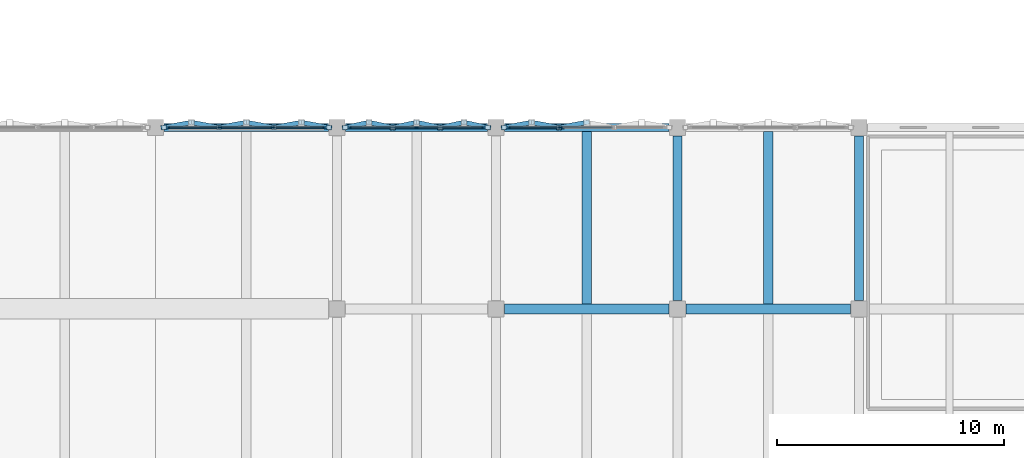
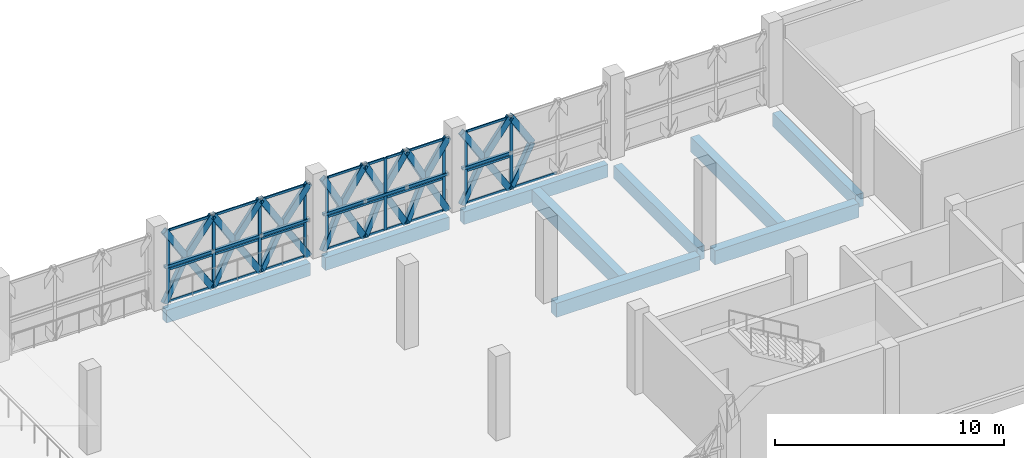
# One storey, part 15 of 45: 65 members, 9 beams, 3 elements without a shape of their own.
"""IFC4 building model written with IfcOpenShell, lengths in metres."""

import ifcopenshell
import ifcopenshell.guid

model = None  # the IFC model being written
_history = None  # IfcOwnerHistory: only IFC2X3 demands one
_inside = {}  # id of a spatial element -> (the spatial element, [elements in it])
_under = {}  # id of a project, library or spatial element -> (it, [spatial elements below it])
_declared = {}  # id of a project -> (the project, [libraries it declares])
_typed = {}  # id of a type object -> (the type object, [elements of that type])
_made_of = {}  # id of a material, layer set ... -> (it, [elements and type objects made of it])


def new_model(schema):
    """Start an empty IFC model of exactly this schema.

    Asked for "IFC4X3", IfcOpenShell would pick the latest addendum, in which some entities
    have other attributes; the version numbers below select the first issue.
    IFC2X3 requires an IfcOwnerHistory on every rooted entity: one is made here for all.
    """
    global model, _history
    if schema == "IFC4X3":
        model = ifcopenshell.file(schema_version=(4, 3, 0, 0))
    else:
        model = ifcopenshell.file(schema=schema)
    _inside.clear()
    _under.clear()
    _declared.clear()
    _typed.clear()
    _made_of.clear()
    _history = None
    if model.schema == "IFC2X3":
        org = make("IfcOrganization", Name="unknown")
        user = make(
            "IfcPersonAndOrganization",
            ThePerson=make("IfcPerson", FamilyName="unknown"),
            TheOrganization=org,
        )
        app = make(
            "IfcApplication",
            ApplicationDeveloper=org,
            Version="unknown",
            ApplicationFullName="unknown",
            ApplicationIdentifier="unknown",
        )
        _history = make(
            "IfcOwnerHistory",
            OwningUser=user,
            OwningApplication=app,
            ChangeAction="ADDED",
            CreationDate=0,
        )
    return model


def make(cls, **values):
    """One entity of the class cls with the attributes given. An attribute that is None is left unset."""
    return model.create_entity(
        cls, **{name: value for name, value in values.items() if value is not None}
    )


def rooted(cls, **values):
    """An entity with a GlobalId (a new one), such as an element, a storey or a relation."""
    return make(cls, GlobalId=ifcopenshell.guid.new(), OwnerHistory=_history, **values)


def si_unit(unit_type, name, prefix=None):
    """IfcSIUnit, for example si_unit("LENGTHUNIT", "METRE", prefix="MILLI")."""
    return make("IfcSIUnit", UnitType=unit_type, Prefix=prefix, Name=name)


def assignment(units):
    """IfcUnitAssignment: the units of a project."""
    return None if units is None else make("IfcUnitAssignment", Units=units)


def point(xyz):
    """IfcCartesianPoint."""
    return None if xyz is None else make("IfcCartesianPoint", Coordinates=xyz)


def direction(xyz):
    """IfcDirection."""
    return None if xyz is None else make("IfcDirection", DirectionRatios=xyz)


def frame(location, z_axis=None, x_axis=None):
    """IfcAxis2Placement3D, a coordinate frame: its origin and axes. An axis left out is left unset."""
    return make(
        "IfcAxis2Placement3D",
        Location=point(location),
        Axis=direction(z_axis),
        RefDirection=direction(x_axis),
    )


def frame_2d(location, x_axis=None):
    """IfcAxis2Placement2D, a coordinate frame in the plane: its origin and x axis."""
    return make(
        "IfcAxis2Placement2D", Location=point(location), RefDirection=direction(x_axis)
    )


def origin():
    """The frame at (0, 0, 0) with its axes left unset."""
    return frame((0.0, 0.0, 0.0))


def origin_2d():
    """The frame at (0, 0) in the plane with its x axis left unset."""
    return frame_2d((0.0, 0.0))


def place(relative_to, where):
    """IfcLocalPlacement: puts the frame where relative to a parent placement (None: the world)."""
    return make(
        "IfcLocalPlacement", PlacementRelTo=relative_to, RelativePlacement=where
    )


def context(
    kind, dimensions, precision=None, world=None, true_north=None, identifier=None
):
    """IfcGeometricRepresentationContext, for example the 3D "Model" context."""
    return make(
        "IfcGeometricRepresentationContext",
        ContextIdentifier=identifier,
        ContextType=kind,
        CoordinateSpaceDimension=dimensions,
        Precision=precision,
        WorldCoordinateSystem=world,
        TrueNorth=true_north,
    )


def subcontext(parent, identifier, kind, view, scale=None):
    """IfcGeometricRepresentationSubContext, for example "Body" below "Model"."""
    return make(
        "IfcGeometricRepresentationSubContext",
        ContextIdentifier=identifier,
        ContextType=kind,
        ParentContext=parent,
        TargetScale=scale,
        TargetView=view,
    )


def project(units=None, contexts=None):
    """IfcProject with its units and contexts."""
    return rooted(
        "IfcProject",
        Name="project",
        RepresentationContexts=contexts,
        UnitsInContext=assignment(units),
    )


def spatial(cls, under=None, at=None, **own):
    """A site, building, storey or space (cls), placed at a placement, below another one or the project."""
    s = rooted(cls, ObjectPlacement=at, **own)
    if under is not None:
        _under.setdefault(under.id(), (under, []))[1].append(s)
    return s


def profile(cls, at=None, kind="AREA", **sizes):
    """A parametric profile (cls). Its sizes go by their IFC names, for example OverallWidth=200.0."""
    return make(cls, ProfileType=kind, Position=at, **sizes)


def rectangle(**sizes):
    """IfcRectangleProfileDef."""
    return profile("IfcRectangleProfileDef", **sizes)


def hollow_rectangle(**sizes):
    """IfcRectangleHollowProfileDef."""
    return profile("IfcRectangleHollowProfileDef", **sizes)


def extrude(swept, where, along, depth):
    """IfcExtrudedAreaSolid: the profile swept, set in the frame where, extruded along a direction by depth."""
    return make(
        "IfcExtrudedAreaSolid",
        SweptArea=swept,
        Position=where,
        ExtrudedDirection=direction(along),
        Depth=depth,
    )


def shape(context_of_items, identifier, shape_type, items):
    """IfcShapeRepresentation: the items that make up one representation, for example the "Body"."""
    return make(
        "IfcShapeRepresentation",
        ContextOfItems=context_of_items,
        RepresentationIdentifier=identifier,
        RepresentationType=shape_type,
        Items=items,
    )


def material(Name=None, Category=None):
    """IfcMaterial."""
    return make("IfcMaterial", Name=Name, Category=Category)


def layer(
    of_material, thickness, ventilated=None, Name=None, Category=None, Priority=None
):
    """IfcMaterialLayer: one layer of a wall or slab, of a material (None: an air gap)."""
    return make(
        "IfcMaterialLayer",
        Material=of_material,
        LayerThickness=thickness,
        IsVentilated=ventilated,
        Name=Name,
        Category=Category,
        Priority=Priority,
    )


def layer_set(layers, Name=None):
    """IfcMaterialLayerSet."""
    return make("IfcMaterialLayerSet", MaterialLayers=layers, LayerSetName=Name)


def material_profile(
    of_material, cross_section, Name=None, Category=None, Priority=None
):
    """IfcMaterialProfile: a cross section and its material."""
    return make(
        "IfcMaterialProfile",
        Name=Name,
        Material=of_material,
        Profile=cross_section,
        Priority=Priority,
        Category=Category,
    )


def profile_set(profiles, Name=None, composite=None):
    """IfcMaterialProfileSet."""
    return make(
        "IfcMaterialProfileSet",
        Name=Name,
        MaterialProfiles=profiles,
        CompositeProfile=composite,
    )


def made_of(thing, what):
    """Note that an element or type object is made of a material, layer set ...; save() writes the relation."""
    if what is not None:
        _made_of.setdefault(what.id(), (what, []))[1].append(thing)
    return thing


def type_object(cls, material=None, **own):
    """A type object (cls), such as IfcWallType, which elements share."""
    return made_of(rooted(cls, **own), material)


def element(
    cls,
    number,
    at=None,
    inside=None,
    cuts=None,
    type_object=None,
    material=None,
    context=None,
    identifier="Body",
    shape_type=None,
    held_by="IfcProductDefinitionShape",
    body=None,
    shapes=None,
    **own,
):
    """One element of the class cls, such as IfcWall. Its Tag is "e" and its number.

    at: its placement. inside: the storey or other place that contains it. cuts: it is an
    opening in that element (IfcRelVoidsElement). A single representation is given by context,
    identifier, shape_type and body (its items); several are given by shapes. held_by: the class
    of the entity that holds the representations. save() writes the other relations.
    """
    e = rooted(cls, Tag="e%d" % number, ObjectPlacement=at, **own)
    if body is not None:
        shapes = [shape(context, identifier, shape_type, body)]
    if shapes is not None:
        e.Representation = make(held_by, Representations=shapes)
    if inside is not None:
        _inside.setdefault(inside.id(), (inside, []))[1].append(e)
    if cuts is not None:
        rooted(
            "IfcRelVoidsElement", RelatingBuildingElement=cuts, RelatedOpeningElement=e
        )
    if type_object is not None:
        _typed.setdefault(type_object.id(), (type_object, []))[1].append(e)
    return made_of(e, material)


def aggregate(whole, parts):
    """IfcRelAggregates: a whole, such as a stair, and the parts it consists of."""
    return rooted("IfcRelAggregates", RelatingObject=whole, RelatedObjects=parts)


def save(model, path):
    """Write the relations noted so far, then the file.

    IfcRelAggregates (storeys below a building ...), IfcRelContainedInSpatialStructure (elements
    in a storey), IfcRelDefinesByType, IfcRelAssociatesMaterial and IfcRelDeclares: one each for
    every whole, place, type object, material and project.
    """
    for whole, parts in _under.values():
        aggregate(whole, parts)
    for where, things in _inside.values():
        rooted(
            "IfcRelContainedInSpatialStructure",
            RelatedElements=things,
            RelatingStructure=where,
        )
    for kind, things in _typed.values():
        rooted("IfcRelDefinesByType", RelatedObjects=things, RelatingType=kind)
    for what, things in _made_of.values():
        rooted("IfcRelAssociatesMaterial", RelatedObjects=things, RelatingMaterial=what)
    for by, libraries in _declared.values():
        rooted("IfcRelDeclares", RelatingContext=by, RelatedDefinitions=libraries)
    model.write(path)


model = new_model("IFC4")

# Units and contexts
model_context = context("Model", 3, precision=1e-05, world=origin(), true_north=direction((0.0, 1.0)))
body_context = subcontext(model_context, "Body", "Model", "MODEL_VIEW")
ifc_project = project(units=[si_unit("LENGTHUNIT", "METRE"), si_unit("AREAUNIT", "SQUARE_METRE"), si_unit("VOLUMEUNIT", "CUBIC_METRE"), si_unit("PLANEANGLEUNIT", "RADIAN"), si_unit("MASSUNIT", "GRAM", prefix="KILO")], contexts=[model_context])

# Site, building, storey
site_placement = place(None, origin())
site = spatial("IfcSite", under=ifc_project, at=site_placement, CompositionType="ELEMENT")
building_placement = place(site_placement, origin())
building = spatial("IfcBuilding", under=site, at=building_placement, Name="Qorikala Patio Media Centre", CompositionType="ELEMENT")
storey_placement = place(building_placement, frame((0.0, 0.0, 9.89990234375)))
storey = spatial("IfcBuildingStorey", under=building, at=storey_placement, Name="L02", CompositionType="ELEMENT", Elevation=9.89990234375)

# Beams
ifc_material_1 = material(Name="Concrete C35/45", Category="concrete")
ifc_material_profile_1 = material_profile(ifc_material_1, rectangle(XDim=0.39990234375, YDim=0.699951171875, at=origin_2d()), Name="RC 400x700")
ifc_profile_set_1 = profile_set([ifc_material_profile_1], Name="Concrete C35/45")
beam_type_1 = type_object("IfcBeamType", Name="BM-G400X700", PredefinedType="BEAM", material=ifc_profile_set_1)
for number, where, z_axis, x_axis, name in (
    (1, (90.0, 19.375, -0.64990234375), (0.0, 1.0, 0.0), (-1.0, 0.0, 0.0), "L02 Grid X=90 Beam 0982"),
    (2, (98.0, 19.375, -0.64990234375), (0.0, 1.0, 0.0), (-1.0, 0.0, 0.0), "L02 Grid X=98 Beam 0985"),
):
    element("IfcBeam", number, at=place(storey_placement, frame(where, z_axis=z_axis, x_axis=x_axis)), inside=storey, type_object=beam_type_1, Name=name, PredefinedType="BEAM", context=body_context, shape_type="SweptSolid", body=[
        extrude(rectangle(XDim=0.39990234375, YDim=0.699951171875, at=origin_2d()), origin(), (0.0, 0.0, 1.0), 7.25),
    ])
ifc_material_profile_2 = material_profile(ifc_material_1, rectangle(XDim=0.449951171875, YDim=0.75, at=origin_2d()), Name="RC 450x750")
ifc_profile_set_2 = profile_set([ifc_material_profile_2], Name="Concrete C35/45")
beam_type_2 = type_object("IfcBeamType", Name="BM-G450X750", PredefinedType="BEAM", material=ifc_profile_set_2)
for number, where, z_axis, x_axis, name in (
    (3, (82.375, 19.0, -0.6748046875), (1.0, 0.0, 0.0), (0.0, 1.0, 0.0), "L02 Grid 19 Beam 0802"),
    (4, (90.375, 19.0, -0.6748046875), (1.0, 0.0, 0.0), (0.0, 1.0, 0.0), "L02 Grid 19 Beam 0803"),
):
    element("IfcBeam", number, at=place(storey_placement, frame(where, z_axis=z_axis, x_axis=x_axis)), inside=storey, type_object=beam_type_2, Name=name, PredefinedType="BEAM", context=body_context, shape_type="SweptSolid", body=[
        extrude(rectangle(XDim=0.449951171875, YDim=0.75, at=origin_2d()), origin(), (0.0, 0.0, 1.0), 7.25),
    ])

# Members
ifc_material_2 = material(Name="Golden Bronze Coated Steel S355", Category="steel")
ifc_material_profile_3 = material_profile(ifc_material_2, hollow_rectangle(XDim=0.139892578125, YDim=0.139892578125, WallThickness=0.006103515625, at=origin_2d()), Name="HSS140X140X6")
ifc_profile_set_3 = profile_set([ifc_material_profile_3], Name="Golden Bronze Coated Steel S355")
member_type_1 = type_object("IfcMemberType", Name="BRACE-DIA140", PredefinedType="BRACE", material=ifc_profile_set_3)
member_1_placement = place(storey_placement, frame((67.360107421875, 27.0, 1.925048828125), z_axis=(1.0, 0.0, 0.0), x_axis=(0.0, 1.0, 0.0)))
element("IfcMember", 5, at=member_1_placement, inside=storey, type_object=member_type_1, Name="L02 Diamond Fold Tie 055", PredefinedType="BRACE", context=body_context, shape_type="SweptSolid", body=[
    extrude(hollow_rectangle(XDim=0.139892578125, YDim=0.139892578125, WallThickness=0.006103515625, at=origin_2d()), origin(), (0.0, 0.0, 1.0), 2.426513671875),
])
member_2_placement = place(storey_placement, frame((69.78662109375, 27.0, 1.925048828125), z_axis=(1.0, 0.0, 0.0), x_axis=(0.0, 1.0, 0.0)))
element("IfcMember", 6, at=member_2_placement, inside=storey, type_object=member_type_1, Name="L02 Diamond Fold Tie 056", PredefinedType="BRACE", context=body_context, shape_type="SweptSolid", body=[
    extrude(hollow_rectangle(XDim=0.139892578125, YDim=0.139892578125, WallThickness=0.006103515625, at=origin_2d()), origin(), (0.0, 0.0, 1.0), 2.4267578125),
])
member_3_placement = place(storey_placement, frame((72.21337890625, 27.0, 1.925048828125), z_axis=(1.0, 0.0, 0.0), x_axis=(0.0, 1.0, 0.0)))
element("IfcMember", 7, at=member_3_placement, inside=storey, type_object=member_type_1, Name="L02 Diamond Fold Tie 057", PredefinedType="BRACE", context=body_context, shape_type="SweptSolid", body=[
    extrude(hollow_rectangle(XDim=0.139892578125, YDim=0.139892578125, WallThickness=0.006103515625, at=origin_2d()), origin(), (0.0, 0.0, 1.0), 2.426513671875),
])
for number, where, z_axis, x_axis, name in (
    (8, (75.360107421875, 27.0, 1.925048828125), (1.0, 0.0, 0.0), (0.0, 1.0, 0.0), "L02 Diamond Fold Tie 058"),
    (9, (77.453369140625, 27.0, 1.925048828125), (1.0, 0.0, 0.0), (0.0, 1.0, 0.0), "L02 Diamond Fold Tie 059"),
    (10, (79.546630859375, 27.0, 1.925048828125), (1.0, 0.0, 0.0), (0.0, 1.0, 0.0), "L02 Diamond Fold Tie 060"),
):
    element("IfcMember", number, at=place(storey_placement, frame(where, z_axis=z_axis, x_axis=x_axis)), inside=storey, type_object=member_type_1, Name=name, PredefinedType="BRACE", context=body_context, shape_type="SweptSolid", body=[
        extrude(hollow_rectangle(XDim=0.139892578125, YDim=0.139892578125, WallThickness=0.006103515625, at=origin_2d()), origin(), (0.0, 0.0, 1.0), 2.09326171875),
    ])
member_4_placement = place(storey_placement, frame((82.360107421875, 27.0, 1.925048828125), z_axis=(1.0, 0.0, 0.0), x_axis=(0.0, 1.0, 0.0)))
element("IfcMember", 11, at=member_4_placement, inside=storey, type_object=member_type_1, Name="L02 Diamond Fold Tie 061", PredefinedType="BRACE", context=body_context, shape_type="SweptSolid", body=[
    extrude(hollow_rectangle(XDim=0.139892578125, YDim=0.139892578125, WallThickness=0.006103515625, at=origin_2d()), origin(), (0.0, 0.0, 1.0), 2.426513671875),
])

# Curtain wall, members
ifc_material_3 = material(Name="Golden Bronze Anodised Aluminium and Low-E Glass", Category="aluminium")
ifc_layer_1 = layer(ifc_material_3, 0.159912109375)
ifc_layer_set_1 = layer_set([ifc_layer_1], Name="Golden Bronze Anodised Aluminium and Low-E Glass")
curtain_wall_type_1 = type_object("IfcCurtainWallType", Name="CW-DIA-696X385", PredefinedType="USERDEFINED", material=ifc_layer_set_1)
curtain_wall_1_placement = place(storey_placement, origin())
curtain_wall_1 = element("IfcCurtainWall", 12, at=curtain_wall_1_placement, inside=storey, type_object=curtain_wall_type_1, Name="L02 Courtyard Curtain Wall 060", ObjectType="COURTYARD CURTAIN WALL", PredefinedType="USERDEFINED")
ifc_material_4 = material(Name="Golden Bronze Anodised Aluminium", Category="aluminium")
ifc_material_profile_4 = material_profile(ifc_material_4, rectangle(XDim=0.06494140625, YDim=0.14990234375, at=origin_2d()), Name="ALU MULLION 65x150")
ifc_profile_set_4 = profile_set([ifc_material_profile_4], Name="Golden Bronze Anodised Aluminium")
member_type_2 = type_object("IfcMemberType", Name="CWM-65X150", PredefinedType="MULLION", material=ifc_profile_set_4)
member_5_placement = place(storey_placement, frame((67.552490234375, 27.0, 0.0), z_axis=(0.0, 0.0, 1.0), x_axis=(0.0, 1.0, 0.0)))
member_5 = element("IfcMember", 13, at=member_5_placement, type_object=member_type_2, Name="CWD696385 mullion 1", PredefinedType="MULLION", context=body_context, shape_type="SweptSolid", body=[
    extrude(rectangle(XDim=0.06494140625, YDim=0.14990234375, at=origin_2d()), origin(), (0.0, 0.0, 1.0), 3.85009765625),
])
member_6_placement = place(storey_placement, frame((69.840087890625, 27.0, 0.0), z_axis=(0.0, 0.0, 1.0), x_axis=(0.0, 1.0, 0.0)))
member_6 = element("IfcMember", 14, at=member_6_placement, type_object=member_type_2, Name="CWD696385 mullion 2", PredefinedType="MULLION", context=body_context, shape_type="SweptSolid", body=[
    extrude(rectangle(XDim=0.06494140625, YDim=0.14990234375, at=origin_2d()), origin(), (0.0, 0.0, 1.0), 3.85009765625),
])
member_7_placement = place(storey_placement, frame((72.159912109375, 27.0, 0.0), z_axis=(0.0, 0.0, 1.0), x_axis=(0.0, 1.0, 0.0)))
member_7 = element("IfcMember", 15, at=member_7_placement, type_object=member_type_2, Name="CWD696385 mullion 3", PredefinedType="MULLION", context=body_context, shape_type="SweptSolid", body=[
    extrude(rectangle(XDim=0.06494140625, YDim=0.14990234375, at=origin_2d()), origin(), (0.0, 0.0, 1.0), 3.85009765625),
])
member_8_placement = place(storey_placement, frame((74.447509765625, 27.0, 0.0), z_axis=(0.0, 0.0, 1.0), x_axis=(0.0, 1.0, 0.0)))
member_8 = element("IfcMember", 16, at=member_8_placement, type_object=member_type_2, Name="CWD696385 mullion 4", PredefinedType="MULLION", context=body_context, shape_type="SweptSolid", body=[
    extrude(rectangle(XDim=0.06494140625, YDim=0.14990234375, at=origin_2d()), origin(), (0.0, 0.0, 1.0), 3.85009765625),
])

ifc_layer_2 = layer(ifc_material_3, 0.159912109375)
ifc_layer_set_2 = layer_set([ifc_layer_2], Name="Golden Bronze Anodised Aluminium and Low-E Glass")
curtain_wall_type_2 = type_object("IfcCurtainWallType", Name="CW-DIA-596X385", PredefinedType="USERDEFINED", material=ifc_layer_set_2)
curtain_wall_2_placement = place(storey_placement, origin())
curtain_wall_2 = element("IfcCurtainWall", 17, at=curtain_wall_2_placement, inside=storey, type_object=curtain_wall_type_2, Name="L02 Courtyard Curtain Wall 061", ObjectType="COURTYARD CURTAIN WALL", PredefinedType="USERDEFINED")
member_9_placement = place(storey_placement, frame((75.552490234375, 27.0, 0.0), z_axis=(0.0, 0.0, 1.0), x_axis=(0.0, 1.0, 0.0)))
member_9 = element("IfcMember", 18, at=member_9_placement, type_object=member_type_2, Name="CWD596385 mullion 1", PredefinedType="MULLION", context=body_context, shape_type="SweptSolid", body=[
    extrude(rectangle(XDim=0.06494140625, YDim=0.14990234375, at=origin_2d()), origin(), (0.0, 0.0, 1.0), 3.85009765625),
])
member_10_placement = place(storey_placement, frame((78.5, 27.0, 0.0), z_axis=(0.0, 0.0, 1.0), x_axis=(0.0, 1.0, 0.0)))
member_10 = element("IfcMember", 19, at=member_10_placement, type_object=member_type_2, Name="CWD596385 mullion 2", PredefinedType="MULLION", context=body_context, shape_type="SweptSolid", body=[
    extrude(rectangle(XDim=0.06494140625, YDim=0.14990234375, at=origin_2d()), origin(), (0.0, 0.0, 1.0), 3.85009765625),
])
member_11_placement = place(storey_placement, frame((81.447509765625, 27.0, 0.0), z_axis=(0.0, 0.0, 1.0), x_axis=(0.0, 1.0, 0.0)))
member_11 = element("IfcMember", 20, at=member_11_placement, type_object=member_type_2, Name="CWD596385 mullion 3", PredefinedType="MULLION", context=body_context, shape_type="SweptSolid", body=[
    extrude(rectangle(XDim=0.06494140625, YDim=0.14990234375, at=origin_2d()), origin(), (0.0, 0.0, 1.0), 3.85009765625),
])

curtain_wall_3_placement = place(storey_placement, origin())
curtain_wall_3 = element("IfcCurtainWall", 21, at=curtain_wall_3_placement, inside=storey, type_object=curtain_wall_type_1, Name="L02 Courtyard Curtain Wall 062", ObjectType="COURTYARD CURTAIN WALL", PredefinedType="USERDEFINED")
member_12_placement = place(storey_placement, frame((82.552490234375, 27.0, 0.0), z_axis=(0.0, 0.0, 1.0), x_axis=(0.0, 1.0, 0.0)))
member_12 = element("IfcMember", 22, at=member_12_placement, type_object=member_type_2, Name="CWD696385 mullion 1", PredefinedType="MULLION", context=body_context, shape_type="SweptSolid", body=[
    extrude(rectangle(XDim=0.06494140625, YDim=0.14990234375, at=origin_2d()), origin(), (0.0, 0.0, 1.0), 3.85009765625),
])
member_13_placement = place(storey_placement, frame((84.840087890625, 27.0, 0.0), z_axis=(0.0, 0.0, 1.0), x_axis=(0.0, 1.0, 0.0)))
member_13 = element("IfcMember", 23, at=member_13_placement, type_object=member_type_2, Name="CWD696385 mullion 2", PredefinedType="MULLION", context=body_context, shape_type="SweptSolid", body=[
    extrude(rectangle(XDim=0.06494140625, YDim=0.14990234375, at=origin_2d()), origin(), (0.0, 0.0, 1.0), 3.85009765625),
])

# Member
ifc_material_profile_5 = material_profile(ifc_material_4, rectangle(XDim=0.06494140625, YDim=0.1201171875, at=origin_2d()), Name="ALU TRANSOM 65x120")
ifc_profile_set_5 = profile_set([ifc_material_profile_5], Name="Golden Bronze Anodised Aluminium")
member_type_3 = type_object("IfcMemberType", Name="CWT-65X120", PredefinedType="USERDEFINED", material=ifc_profile_set_5)
member_14_placement = place(storey_placement, frame((67.5849609375, 27.0, 0.03271484375), z_axis=(1.0, 0.0, 0.0), x_axis=(0.0, 1.0, 0.0)))
member_14 = element("IfcMember", 24, at=member_14_placement, type_object=member_type_3, Name="CWD696385 transom 1.1", ObjectType="TRANSOM", PredefinedType="USERDEFINED", context=body_context, shape_type="SweptSolid", body=[
    extrude(rectangle(XDim=0.06494140625, YDim=0.1201171875, at=origin_2d()), origin(), (0.0, 0.0, 1.0), 2.22265625),
])

member_15_placement = place(storey_placement, frame((67.5849609375, 27.0, 1.732666015625), z_axis=(1.0, 0.0, 0.0), x_axis=(0.0, 1.0, 0.0)))
member_15 = element("IfcMember", 25, at=member_15_placement, type_object=member_type_3, Name="CWD696385 transom 1.2", ObjectType="TRANSOM", PredefinedType="USERDEFINED", context=body_context, shape_type="SweptSolid", body=[
    extrude(rectangle(XDim=0.06494140625, YDim=0.1201171875, at=origin_2d()), origin(), (0.0, 0.0, 1.0), 2.22265625),
])

member_16_placement = place(storey_placement, frame((67.5849609375, 27.0, 3.817626953125), z_axis=(1.0, 0.0, 0.0), x_axis=(0.0, 1.0, 0.0)))
member_16 = element("IfcMember", 26, at=member_16_placement, type_object=member_type_3, Name="CWD696385 transom 1.3", ObjectType="TRANSOM", PredefinedType="USERDEFINED", context=body_context, shape_type="SweptSolid", body=[
    extrude(rectangle(XDim=0.06494140625, YDim=0.1201171875, at=origin_2d()), origin(), (0.0, 0.0, 1.0), 2.22265625),
])

member_17_placement = place(storey_placement, frame((69.87255859375, 27.0, 0.03271484375), z_axis=(1.0, 0.0, 0.0), x_axis=(0.0, 1.0, 0.0)))
member_17 = element("IfcMember", 27, at=member_17_placement, type_object=member_type_3, Name="CWD696385 transom 2.1", ObjectType="TRANSOM", PredefinedType="USERDEFINED", context=body_context, shape_type="SweptSolid", body=[
    extrude(rectangle(XDim=0.06494140625, YDim=0.1201171875, at=origin_2d()), origin(), (0.0, 0.0, 1.0), 2.2548828125),
])

member_18_placement = place(storey_placement, frame((69.87255859375, 27.0, 1.732666015625), z_axis=(1.0, 0.0, 0.0), x_axis=(0.0, 1.0, 0.0)))
member_18 = element("IfcMember", 28, at=member_18_placement, type_object=member_type_3, Name="CWD696385 transom 2.2", ObjectType="TRANSOM", PredefinedType="USERDEFINED", context=body_context, shape_type="SweptSolid", body=[
    extrude(rectangle(XDim=0.06494140625, YDim=0.1201171875, at=origin_2d()), origin(), (0.0, 0.0, 1.0), 2.2548828125),
])

member_19_placement = place(storey_placement, frame((69.87255859375, 27.0, 3.817626953125), z_axis=(1.0, 0.0, 0.0), x_axis=(0.0, 1.0, 0.0)))
member_19 = element("IfcMember", 29, at=member_19_placement, type_object=member_type_3, Name="CWD696385 transom 2.3", ObjectType="TRANSOM", PredefinedType="USERDEFINED", context=body_context, shape_type="SweptSolid", body=[
    extrude(rectangle(XDim=0.06494140625, YDim=0.1201171875, at=origin_2d()), origin(), (0.0, 0.0, 1.0), 2.2548828125),
])

member_20_placement = place(storey_placement, frame((72.1923828125, 27.0, 0.03271484375), z_axis=(1.0, 0.0, 0.0), x_axis=(0.0, 1.0, 0.0)))
member_20 = element("IfcMember", 30, at=member_20_placement, type_object=member_type_3, Name="CWD696385 transom 3.1", ObjectType="TRANSOM", PredefinedType="USERDEFINED", context=body_context, shape_type="SweptSolid", body=[
    extrude(rectangle(XDim=0.06494140625, YDim=0.1201171875, at=origin_2d()), origin(), (0.0, 0.0, 1.0), 2.22265625),
])

member_21_placement = place(storey_placement, frame((72.1923828125, 27.0, 1.732666015625), z_axis=(1.0, 0.0, 0.0), x_axis=(0.0, 1.0, 0.0)))
member_21 = element("IfcMember", 31, at=member_21_placement, type_object=member_type_3, Name="CWD696385 transom 3.2", ObjectType="TRANSOM", PredefinedType="USERDEFINED", context=body_context, shape_type="SweptSolid", body=[
    extrude(rectangle(XDim=0.06494140625, YDim=0.1201171875, at=origin_2d()), origin(), (0.0, 0.0, 1.0), 2.22265625),
])

member_22_placement = place(storey_placement, frame((72.1923828125, 27.0, 3.817626953125), z_axis=(1.0, 0.0, 0.0), x_axis=(0.0, 1.0, 0.0)))
member_22 = element("IfcMember", 32, at=member_22_placement, type_object=member_type_3, Name="CWD696385 transom 3.3", ObjectType="TRANSOM", PredefinedType="USERDEFINED", context=body_context, shape_type="SweptSolid", body=[
    extrude(rectangle(XDim=0.06494140625, YDim=0.1201171875, at=origin_2d()), origin(), (0.0, 0.0, 1.0), 2.22265625),
])

aggregate(curtain_wall_1, [member_5, member_6, member_7, member_8, member_14, member_15, member_16, member_17, member_18, member_19, member_20, member_21, member_22])

member_23_placement = place(storey_placement, frame((75.5849609375, 27.0, 0.03271484375), z_axis=(1.0, 0.0, 0.0), x_axis=(0.0, 1.0, 0.0)))
member_23 = element("IfcMember", 33, at=member_23_placement, type_object=member_type_3, Name="CWD596385 transom 1.1", ObjectType="TRANSOM", PredefinedType="USERDEFINED", context=body_context, shape_type="SweptSolid", body=[
    extrude(rectangle(XDim=0.06494140625, YDim=0.1201171875, at=origin_2d()), origin(), (0.0, 0.0, 1.0), 2.882568359375),
])

member_24_placement = place(storey_placement, frame((75.5849609375, 27.0, 1.732666015625), z_axis=(1.0, 0.0, 0.0), x_axis=(0.0, 1.0, 0.0)))
member_24 = element("IfcMember", 34, at=member_24_placement, type_object=member_type_3, Name="CWD596385 transom 1.2", ObjectType="TRANSOM", PredefinedType="USERDEFINED", context=body_context, shape_type="SweptSolid", body=[
    extrude(rectangle(XDim=0.06494140625, YDim=0.1201171875, at=origin_2d()), origin(), (0.0, 0.0, 1.0), 2.882568359375),
])

member_25_placement = place(storey_placement, frame((75.5849609375, 27.0, 3.817626953125), z_axis=(1.0, 0.0, 0.0), x_axis=(0.0, 1.0, 0.0)))
member_25 = element("IfcMember", 35, at=member_25_placement, type_object=member_type_3, Name="CWD596385 transom 1.3", ObjectType="TRANSOM", PredefinedType="USERDEFINED", context=body_context, shape_type="SweptSolid", body=[
    extrude(rectangle(XDim=0.06494140625, YDim=0.1201171875, at=origin_2d()), origin(), (0.0, 0.0, 1.0), 2.882568359375),
])

member_26_placement = place(storey_placement, frame((78.532470703125, 27.0, 0.03271484375), z_axis=(1.0, 0.0, 0.0), x_axis=(0.0, 1.0, 0.0)))
member_26 = element("IfcMember", 36, at=member_26_placement, type_object=member_type_3, Name="CWD596385 transom 2.1", ObjectType="TRANSOM", PredefinedType="USERDEFINED", context=body_context, shape_type="SweptSolid", body=[
    extrude(rectangle(XDim=0.06494140625, YDim=0.1201171875, at=origin_2d()), origin(), (0.0, 0.0, 1.0), 2.882568359375),
])

member_27_placement = place(storey_placement, frame((78.532470703125, 27.0, 1.732666015625), z_axis=(1.0, 0.0, 0.0), x_axis=(0.0, 1.0, 0.0)))
member_27 = element("IfcMember", 37, at=member_27_placement, type_object=member_type_3, Name="CWD596385 transom 2.2", ObjectType="TRANSOM", PredefinedType="USERDEFINED", context=body_context, shape_type="SweptSolid", body=[
    extrude(rectangle(XDim=0.06494140625, YDim=0.1201171875, at=origin_2d()), origin(), (0.0, 0.0, 1.0), 2.882568359375),
])

member_28_placement = place(storey_placement, frame((78.532470703125, 27.0, 3.817626953125), z_axis=(1.0, 0.0, 0.0), x_axis=(0.0, 1.0, 0.0)))
member_28 = element("IfcMember", 38, at=member_28_placement, type_object=member_type_3, Name="CWD596385 transom 2.3", ObjectType="TRANSOM", PredefinedType="USERDEFINED", context=body_context, shape_type="SweptSolid", body=[
    extrude(rectangle(XDim=0.06494140625, YDim=0.1201171875, at=origin_2d()), origin(), (0.0, 0.0, 1.0), 2.882568359375),
])

aggregate(curtain_wall_2, [member_9, member_10, member_11, member_23, member_24, member_25, member_26, member_27, member_28])

member_29_placement = place(storey_placement, frame((82.5849609375, 27.0, 0.03271484375), z_axis=(1.0, 0.0, 0.0), x_axis=(0.0, 1.0, 0.0)))
member_29 = element("IfcMember", 39, at=member_29_placement, type_object=member_type_3, Name="CWD696385 transom 1.1", ObjectType="TRANSOM", PredefinedType="USERDEFINED", context=body_context, shape_type="SweptSolid", body=[
    extrude(rectangle(XDim=0.06494140625, YDim=0.1201171875, at=origin_2d()), origin(), (0.0, 0.0, 1.0), 2.22265625),
])

member_30_placement = place(storey_placement, frame((82.5849609375, 27.0, 1.732666015625), z_axis=(1.0, 0.0, 0.0), x_axis=(0.0, 1.0, 0.0)))
member_30 = element("IfcMember", 40, at=member_30_placement, type_object=member_type_3, Name="CWD696385 transom 1.2", ObjectType="TRANSOM", PredefinedType="USERDEFINED", context=body_context, shape_type="SweptSolid", body=[
    extrude(rectangle(XDim=0.06494140625, YDim=0.1201171875, at=origin_2d()), origin(), (0.0, 0.0, 1.0), 2.22265625),
])

member_31_placement = place(storey_placement, frame((82.5849609375, 27.0, 3.817626953125), z_axis=(1.0, 0.0, 0.0), x_axis=(0.0, 1.0, 0.0)))
member_31 = element("IfcMember", 41, at=member_31_placement, type_object=member_type_3, Name="CWD696385 transom 1.3", ObjectType="TRANSOM", PredefinedType="USERDEFINED", context=body_context, shape_type="SweptSolid", body=[
    extrude(rectangle(XDim=0.06494140625, YDim=0.1201171875, at=origin_2d()), origin(), (0.0, 0.0, 1.0), 2.22265625),
])

member_32_placement = place(storey_placement, frame((84.87255859375, 27.0, 0.03271484375), z_axis=(1.0, 0.0, 0.0), x_axis=(0.0, 1.0, 0.0)))
member_32 = element("IfcMember", 42, at=member_32_placement, type_object=member_type_3, Name="CWD696385 transom 2.1", ObjectType="TRANSOM", PredefinedType="USERDEFINED", context=body_context, shape_type="SweptSolid", body=[
    extrude(rectangle(XDim=0.06494140625, YDim=0.1201171875, at=origin_2d()), origin(), (0.0, 0.0, 1.0), 2.2548828125),
])

aggregate(curtain_wall_3, [member_12, member_13, member_29, member_30, member_31, member_32])

# Beams
ifc_material_profile_6 = material_profile(ifc_material_1, rectangle(XDim=0.35009765625, YDim=0.679931640625, at=origin_2d()), Name="RC 350x680")
ifc_profile_set_6 = profile_set([ifc_material_profile_6], Name="Concrete C35/45")
beam_type_3 = type_object("IfcBeamType", Name="SP-350X680", PredefinedType="SPANDREL", material=ifc_profile_set_6)
beam_1_placement = place(storey_placement, frame((67.375, 27.0, -0.639892578125), z_axis=(1.0, 0.0, 0.0), x_axis=(0.0, 1.0, 0.0)))
element("IfcBeam", 43, at=beam_1_placement, inside=storey, type_object=beam_type_3, Name="L02 Grid 27 Beam 0821", PredefinedType="SPANDREL", context=body_context, shape_type="SweptSolid", body=[
    extrude(rectangle(XDim=0.35009765625, YDim=0.679931640625, at=origin_2d()), origin(), (0.0, 0.0, 1.0), 7.25),
])
beam_2_placement = place(storey_placement, frame((75.375, 27.0, -0.639892578125), z_axis=(1.0, 0.0, 0.0), x_axis=(0.0, 1.0, 0.0)))
element("IfcBeam", 44, at=beam_2_placement, inside=storey, type_object=beam_type_3, Name="L02 Grid 27 Beam 0822", PredefinedType="SPANDREL", context=body_context, shape_type="SweptSolid", body=[
    extrude(rectangle(XDim=0.35009765625, YDim=0.679931640625, at=origin_2d()), origin(), (0.0, 0.0, 1.0), 6.25),
])
beam_3_placement = place(storey_placement, frame((82.375, 27.0, -0.639892578125), z_axis=(1.0, 0.0, 0.0), x_axis=(0.0, 1.0, 0.0)))
element("IfcBeam", 45, at=beam_3_placement, inside=storey, type_object=beam_type_3, Name="L02 Grid 27 Beam 0823", PredefinedType="SPANDREL", context=body_context, shape_type="SweptSolid", body=[
    extrude(rectangle(XDim=0.35009765625, YDim=0.679931640625, at=origin_2d()), origin(), (0.0, 0.0, 1.0), 7.25),
])

# Members
ifc_material_profile_7 = material_profile(ifc_material_2, hollow_rectangle(XDim=0.199951171875, YDim=0.300048828125, WallThickness=0.011962890625, at=origin_2d()), Name="HSS300X200X12")
ifc_profile_set_7 = profile_set([ifc_material_profile_7], Name="Golden Bronze Coated Steel S355")
member_type_4 = type_object("IfcMemberType", Name="STRUT-DIA300", PredefinedType="STRUT", material=ifc_profile_set_7)
member_33_placement = place(storey_placement, frame((67.360107421875, 27.0, 0.0), z_axis=(0.530691378365, 0.095906793675, 0.842121456713), x_axis=(-0.17783968734, 0.984059472596, 0.0)))
element("IfcMember", 46, at=member_33_placement, inside=storey, type_object=member_type_4, Name="L02 Diamond Foyer Fold Strut 055-DL1", PredefinedType="STRUT", context=body_context, shape_type="SweptSolid", body=[
    extrude(hollow_rectangle(XDim=0.199951171875, YDim=0.300048828125, WallThickness=0.011962890625, at=origin_2d()), origin(), (0.0, 0.0, 1.0), 2.285888671875),
])
member_34_placement = place(storey_placement, frame((69.78662109375, 27.0, 0.0), z_axis=(-0.530768093717, 0.095901357778, 0.842073726148), x_axis=(-0.177805036072, -0.98406573416, 0.0)))
element("IfcMember", 47, at=member_34_placement, inside=storey, type_object=member_type_4, Name="L02 Diamond Foyer Fold Strut 055-DL2", PredefinedType="STRUT", context=body_context, shape_type="SweptSolid", body=[
    extrude(hollow_rectangle(XDim=0.199951171875, YDim=0.300048828125, WallThickness=0.011962890625, at=origin_2d()), origin(), (0.0, 0.0, 1.0), 2.2861328125),
])
member_35_placement = place(storey_placement, frame((68.5732421875, 27.21923828125, 1.925048828125), z_axis=(-0.530691378365, -0.095906793675, 0.842121456713), x_axis=(0.17783968734, -0.984059472596, 0.0)))
element("IfcMember", 48, at=member_35_placement, inside=storey, type_object=member_type_4, Name="L02 Diamond Foyer Fold Strut 055-DU1", PredefinedType="STRUT", context=body_context, shape_type="SweptSolid", body=[
    extrude(hollow_rectangle(XDim=0.199951171875, YDim=0.300048828125, WallThickness=0.011962890625, at=origin_2d()), origin(), (0.0, 0.0, 1.0), 2.285888671875),
])
for number, where, z_axis, x_axis, name in (
    (49, (68.5732421875, 27.21923828125, 1.925048828125), (0.530768093717, -0.095901357778, 0.842073726148), (0.177805036072, 0.98406573416, 0.0), "L02 Diamond Foyer Fold Strut 055-DU2"),
    (50, (69.78662109375, 27.0, 0.0), (0.530768093717, 0.095901357778, 0.842073726148), (-0.177805036072, 0.98406573416, 0.0), "L02 Diamond Foyer Fold Strut 056-DL1"),
    (51, (72.21337890625, 27.0, 0.0), (-0.530768093717, 0.095901357778, 0.842073726148), (-0.177805036072, -0.98406573416, 0.0), "L02 Diamond Foyer Fold Strut 056-DL2"),
    (52, (71.0, 27.21923828125, 1.925048828125), (-0.530768093717, -0.095901357778, 0.842073726148), (0.177805036072, -0.98406573416, 0.0), "L02 Diamond Foyer Fold Strut 056-DU1"),
    (53, (71.0, 27.21923828125, 1.925048828125), (0.530768093717, -0.095901357778, 0.842073726148), (0.177805036072, 0.98406573416, 0.0), "L02 Diamond Foyer Fold Strut 056-DU2"),
    (54, (72.21337890625, 27.0, 0.0), (0.530768093717, 0.095901357778, 0.842073726148), (-0.177805036072, 0.98406573416, 0.0), "L02 Diamond Foyer Fold Strut 057-DL1"),
):
    element("IfcMember", number, at=place(storey_placement, frame(where, z_axis=z_axis, x_axis=x_axis)), inside=storey, type_object=member_type_4, Name=name, PredefinedType="STRUT", context=body_context, shape_type="SweptSolid", body=[
        extrude(hollow_rectangle(XDim=0.199951171875, YDim=0.300048828125, WallThickness=0.011962890625, at=origin_2d()), origin(), (0.0, 0.0, 1.0), 2.2861328125),
    ])
member_36_placement = place(storey_placement, frame((74.639892578125, 27.0, 0.0), z_axis=(-0.530691378365, 0.095906793675, 0.842121456713), x_axis=(-0.17783968734, -0.984059472596, 0.0)))
element("IfcMember", 55, at=member_36_placement, inside=storey, type_object=member_type_4, Name="L02 Diamond Foyer Fold Strut 057-DL2", PredefinedType="STRUT", context=body_context, shape_type="SweptSolid", body=[
    extrude(hollow_rectangle(XDim=0.199951171875, YDim=0.300048828125, WallThickness=0.011962890625, at=origin_2d()), origin(), (0.0, 0.0, 1.0), 2.285888671875),
])
member_37_placement = place(storey_placement, frame((73.4267578125, 27.21923828125, 1.925048828125), z_axis=(-0.530768093717, -0.095901357778, 0.842073726148), x_axis=(0.177805036072, -0.98406573416, 0.0)))
element("IfcMember", 56, at=member_37_placement, inside=storey, type_object=member_type_4, Name="L02 Diamond Foyer Fold Strut 057-DU1", PredefinedType="STRUT", context=body_context, shape_type="SweptSolid", body=[
    extrude(hollow_rectangle(XDim=0.199951171875, YDim=0.300048828125, WallThickness=0.011962890625, at=origin_2d()), origin(), (0.0, 0.0, 1.0), 2.2861328125),
])
member_38_placement = place(storey_placement, frame((73.4267578125, 27.21923828125, 1.925048828125), z_axis=(0.530691378365, -0.095906793675, 0.842121456713), x_axis=(0.17783968734, 0.984059472596, 0.0)))
element("IfcMember", 57, at=member_38_placement, inside=storey, type_object=member_type_4, Name="L02 Diamond Foyer Fold Strut 057-DU2", PredefinedType="STRUT", context=body_context, shape_type="SweptSolid", body=[
    extrude(hollow_rectangle(XDim=0.199951171875, YDim=0.300048828125, WallThickness=0.011962890625, at=origin_2d()), origin(), (0.0, 0.0, 1.0), 2.285888671875),
])
for number, where, z_axis, x_axis, name in (
    (58, (75.360107421875, 27.0, 0.0), (0.475284177813, 0.099558010654, 0.87418141872), (-0.205020837962, 0.9787576084, 0.0), "L02 Diamond Foyer Fold Strut 058-DL1"),
    (59, (77.453369140625, 27.0, 0.0), (-0.475284177813, 0.099558010654, 0.87418141872), (-0.205020837962, -0.9787576084, 0.0), "L02 Diamond Foyer Fold Strut 058-DL2"),
    (60, (76.40673828125, 27.21923828125, 1.925048828125), (-0.475284177813, -0.099558010654, 0.87418141872), (0.205020837962, -0.9787576084, 0.0), "L02 Diamond Foyer Fold Strut 058-DU1"),
    (61, (76.40673828125, 27.21923828125, 1.925048828125), (0.475284177813, -0.099558010654, 0.87418141872), (0.205020837962, 0.9787576084, 0.0), "L02 Diamond Foyer Fold Strut 058-DU2"),
    (62, (77.453369140625, 27.0, 0.0), (0.475284177813, 0.099558010654, 0.87418141872), (-0.205020837962, 0.9787576084, 0.0), "L02 Diamond Foyer Fold Strut 059-DL1"),
    (63, (79.546630859375, 27.0, 0.0), (-0.475284177813, 0.099558010654, 0.87418141872), (-0.205020837962, -0.9787576084, 0.0), "L02 Diamond Foyer Fold Strut 059-DL2"),
    (64, (78.5, 27.21923828125, 1.925048828125), (-0.475284177813, -0.099558010654, 0.87418141872), (0.205020837962, -0.9787576084, 0.0), "L02 Diamond Foyer Fold Strut 059-DU1"),
    (65, (78.5, 27.21923828125, 1.925048828125), (0.475284177813, -0.099558010654, 0.87418141872), (0.205020837962, 0.9787576084, 0.0), "L02 Diamond Foyer Fold Strut 059-DU2"),
    (66, (79.546630859375, 27.0, 0.0), (0.475284177813, 0.099558010654, 0.87418141872), (-0.205020837962, 0.9787576084, 0.0), "L02 Diamond Foyer Fold Strut 060-DL1"),
    (67, (81.639892578125, 27.0, 0.0), (-0.475284177813, 0.099558010654, 0.87418141872), (-0.205020837962, -0.9787576084, 0.0), "L02 Diamond Foyer Fold Strut 060-DL2"),
    (68, (80.59326171875, 27.21923828125, 1.925048828125), (-0.475284177813, -0.099558010654, 0.87418141872), (0.205020837962, -0.9787576084, 0.0), "L02 Diamond Foyer Fold Strut 060-DU1"),
    (69, (80.59326171875, 27.21923828125, 1.925048828125), (0.475284177813, -0.099558010654, 0.87418141872), (0.205020837962, 0.9787576084, 0.0), "L02 Diamond Foyer Fold Strut 060-DU2"),
):
    element("IfcMember", number, at=place(storey_placement, frame(where, z_axis=z_axis, x_axis=x_axis)), inside=storey, type_object=member_type_4, Name=name, PredefinedType="STRUT", context=body_context, shape_type="SweptSolid", body=[
        extrude(hollow_rectangle(XDim=0.199951171875, YDim=0.300048828125, WallThickness=0.011962890625, at=origin_2d()), origin(), (0.0, 0.0, 1.0), 2.2021484375),
    ])
member_39_placement = place(storey_placement, frame((82.360107421875, 27.0, 0.0), z_axis=(0.530691378365, 0.095906793675, 0.842121456713), x_axis=(-0.17783968734, 0.984059472596, 0.0)))
element("IfcMember", 70, at=member_39_placement, inside=storey, type_object=member_type_4, Name="L02 Diamond Foyer Fold Strut 061-DL1", PredefinedType="STRUT", context=body_context, shape_type="SweptSolid", body=[
    extrude(hollow_rectangle(XDim=0.199951171875, YDim=0.300048828125, WallThickness=0.011962890625, at=origin_2d()), origin(), (0.0, 0.0, 1.0), 2.285888671875),
])
member_40_placement = place(storey_placement, frame((84.78662109375, 27.0, 0.0), z_axis=(-0.530768093717, 0.095901357778, 0.842073726148), x_axis=(-0.177805036072, -0.98406573416, 0.0)))
element("IfcMember", 71, at=member_40_placement, inside=storey, type_object=member_type_4, Name="L02 Diamond Foyer Fold Strut 061-DL2", PredefinedType="STRUT", context=body_context, shape_type="SweptSolid", body=[
    extrude(hollow_rectangle(XDim=0.199951171875, YDim=0.300048828125, WallThickness=0.011962890625, at=origin_2d()), origin(), (0.0, 0.0, 1.0), 2.2861328125),
])
member_41_placement = place(storey_placement, frame((83.5732421875, 27.21923828125, 1.925048828125), z_axis=(-0.530691378365, -0.095906793675, 0.842121456713), x_axis=(0.17783968734, -0.984059472596, 0.0)))
element("IfcMember", 72, at=member_41_placement, inside=storey, type_object=member_type_4, Name="L02 Diamond Foyer Fold Strut 061-DU1", PredefinedType="STRUT", context=body_context, shape_type="SweptSolid", body=[
    extrude(hollow_rectangle(XDim=0.199951171875, YDim=0.300048828125, WallThickness=0.011962890625, at=origin_2d()), origin(), (0.0, 0.0, 1.0), 2.285888671875),
])
for number, where, z_axis, x_axis, name in (
    (73, (83.5732421875, 27.21923828125, 1.925048828125), (0.530768093717, -0.095901357778, 0.842073726148), (0.177805036072, 0.98406573416, 0.0), "L02 Diamond Foyer Fold Strut 061-DU2"),
    (74, (84.78662109375, 27.0, 0.0), (0.530768093717, 0.095901357778, 0.842073726148), (-0.177805036072, 0.98406573416, 0.0), "L02 Diamond Foyer Fold Strut 062-DL1"),
    (75, (86.0, 27.21923828125, 1.925048828125), (-0.530768093717, -0.095901357778, 0.842073726148), (0.177805036072, -0.98406573416, 0.0), "L02 Diamond Foyer Fold Strut 062-DU1"),
):
    element("IfcMember", number, at=place(storey_placement, frame(where, z_axis=z_axis, x_axis=x_axis)), inside=storey, type_object=member_type_4, Name=name, PredefinedType="STRUT", context=body_context, shape_type="SweptSolid", body=[
        extrude(hollow_rectangle(XDim=0.199951171875, YDim=0.300048828125, WallThickness=0.011962890625, at=origin_2d()), origin(), (0.0, 0.0, 1.0), 2.2861328125),
    ])

# Beams
ifc_material_profile_8 = material_profile(ifc_material_1, rectangle(XDim=0.419921875, YDim=0.780029296875, at=origin_2d()), Name="RC 420x780")
ifc_profile_set_8 = profile_set([ifc_material_profile_8], Name="Concrete C35/45")
beam_type_4 = type_object("IfcBeamType", Name="TB-420X780", PredefinedType="T_BEAM", material=ifc_profile_set_8)
for number, where, z_axis, x_axis, name in (
    (76, (86.0, 19.22509765625, -0.68994140625), (0.0, 1.0, 0.0), (-1.0, 0.0, 0.0), "L02 Secondary Joist 1078"),
    (77, (94.0, 19.22509765625, -0.68994140625), (0.0, 1.0, 0.0), (-1.0, 0.0, 0.0), "L02 Secondary Joist 1080"),
):
    element("IfcBeam", number, at=place(storey_placement, frame(where, z_axis=z_axis, x_axis=x_axis)), inside=storey, type_object=beam_type_4, Name=name, PredefinedType="T_BEAM", context=body_context, shape_type="SweptSolid", body=[
        extrude(rectangle(XDim=0.419921875, YDim=0.780029296875, at=origin_2d()), origin(), (0.0, 0.0, 1.0), 7.599853515625),
    ])

save(model, "model.ifc")
